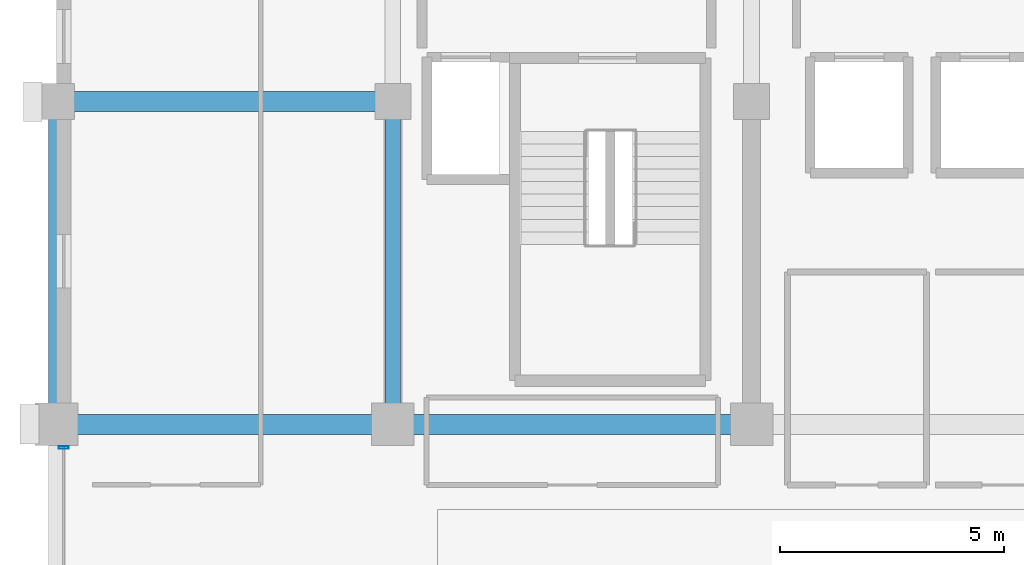
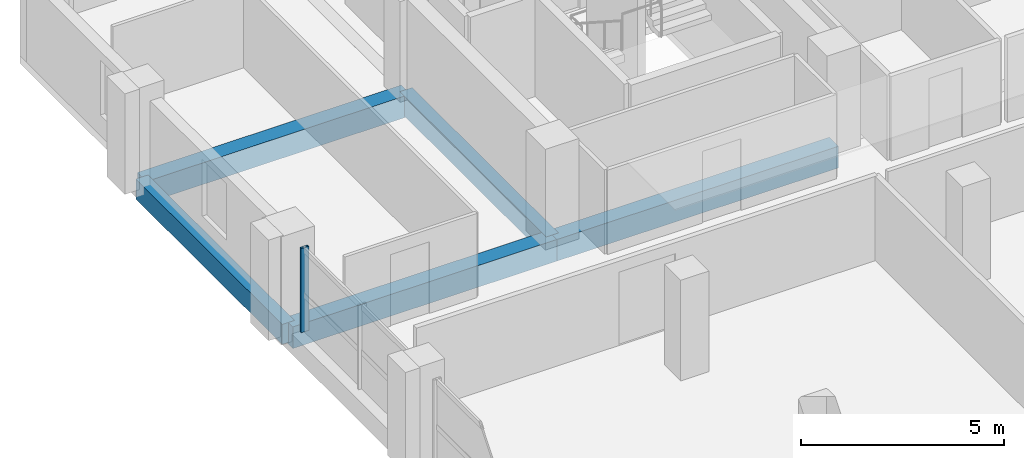
# One storey, part 11 of 23: 5 beams, 1 member, 1 element without a shape of its own.
"""IFC4 building model written with IfcOpenShell, lengths in metres."""

from ifc_helpers import new_model, si_unit, direction, frame, origin, origin_2d, place, context, subcontext, project, spatial, rectangle, hollow_rectangle, extrude, material, material_profile, profile_set, type_object, element, aggregate, save


model = new_model("IFC4")

# Units and contexts
model_context = context("Model", 3, precision=1e-05, world=origin(), true_north=direction((0.0, 1.0)))
body_context = subcontext(model_context, "Body", "Model", "MODEL_VIEW")
ifc_project = project(units=[si_unit("LENGTHUNIT", "METRE"), si_unit("AREAUNIT", "SQUARE_METRE"), si_unit("VOLUMEUNIT", "CUBIC_METRE"), si_unit("PLANEANGLEUNIT", "RADIAN"), si_unit("MASSUNIT", "GRAM", prefix="KILO")], contexts=[model_context])

# Site, building, storey
site_placement = place(None, origin())
site = spatial("IfcSite", under=ifc_project, at=site_placement, CompositionType="ELEMENT")
building_placement = place(site_placement, origin())
building = spatial("IfcBuilding", under=site, at=building_placement, Name="Akrevak Sports Hall", CompositionType="ELEMENT")
storey_placement = place(building_placement, frame((0.0, 0.0, 47.050048828125)))
storey = spatial("IfcBuildingStorey", under=building, at=storey_placement, Name="L11", CompositionType="ELEMENT", Elevation=47.050048828125)

# Curtain wall, member
ifc_material_1 = material(Name="Anodized Bronze Aluminium & Low-E Glass", Category="aluminium")
curtain_wall_type = type_object("IfcCurtainWallType", Name="ARC-CW-TWR-56x30", PredefinedType="NOTDEFINED", material=ifc_material_1)
curtain_wall_placement = place(storey_placement, origin())
curtain_wall = element("IfcCurtainWall", 1, at=curtain_wall_placement, inside=storey, type_object=curtain_wall_type, Name="Curtain Wall CW-L11-W30", PredefinedType="NOTDEFINED")
ifc_material_2 = material(Name="Anodized Bronze Aluminium", Category="aluminium")
ifc_material_profile_1 = material_profile(ifc_material_2, hollow_rectangle(XDim=0.06494140625, YDim=0.219970703125, WallThickness=0.00439453125, at=origin_2d()), Name="CWM 65x220", Category="aluminium")
ifc_profile_set_1 = profile_set([ifc_material_profile_1], Name="Anodized Bronze Aluminium")
member_type = type_object("IfcMemberType", Name="ARC-CWM-70x160", PredefinedType="MULLION", material=ifc_profile_set_1)
member_placement = place(storey_placement, frame((52.659912109375, 54.68505859375, 0.0), z_axis=(0.0, 0.0, 1.0), x_axis=(0.0, -1.0, 0.0)))
member = element("IfcMember", 2, at=member_placement, type_object=member_type, Name="Curtain Wall Mullion CW-L11-W30-M1", PredefinedType="MULLION", context=body_context, shape_type="SweptSolid", body=[
    extrude(hollow_rectangle(XDim=0.06494140625, YDim=0.219970703125, WallThickness=0.00439453125, at=origin_2d()), origin(), (0.0, 0.0, 1.0), 2.530029296875),
])
aggregate(curtain_wall, [member])

# Beams
ifc_material_3 = material(Name="Concrete C40/50", Category="concrete")
ifc_material_profile_2 = material_profile(ifc_material_3, rectangle(XDim=0.35009765625, YDim=0.60009765625, at=origin_2d()), Name="BM 350x600", Category="concrete")
ifc_profile_set_2 = profile_set([ifc_material_profile_2], Name="Concrete C40/50")
beam_type_1 = type_object("IfcBeamType", Name="STR-BM-RC350x600", PredefinedType="BEAM", material=ifc_profile_set_2)
for number, where, z_axis, x_axis, name in (
    (3, (52.5, 55.199951171875, -0.300048828125), (0.0, 1.0, 0.0), (-1.0, 0.0, 0.0), "Girder 8/I-J (L11)"),
    (4, (60.0, 55.199951171875, -0.300048828125), (0.0, 1.0, 0.0), (-1.0, 0.0, 0.0), "Girder 9/I-J (L11)"),
):
    element("IfcBeam", number, at=place(storey_placement, frame(where, z_axis=z_axis, x_axis=x_axis)), inside=storey, type_object=beam_type_1, Name=name, PredefinedType="BEAM", context=body_context, shape_type="SweptSolid", body=[
        extrude(rectangle(XDim=0.35009765625, YDim=0.60009765625, at=origin_2d()), origin(), (0.0, 0.0, 1.0), 7.199951171875),
    ])
ifc_material_profile_3 = material_profile(ifc_material_3, rectangle(XDim=0.449951171875, YDim=0.64990234375, at=origin_2d()), Name="BM 450x650", Category="concrete")
ifc_profile_set_3 = profile_set([ifc_material_profile_3], Name="Concrete C40/50")
beam_type_2 = type_object("IfcBeamType", Name="STR-BM-RC450x650", PredefinedType="BEAM", material=ifc_profile_set_3)
beam_1_placement = place(storey_placement, frame((52.5, 55.199951171875, -0.324951171875), z_axis=(1.0, 0.0, 0.0), x_axis=(0.0, 1.0, 0.0)))
element("IfcBeam", 5, at=beam_1_placement, inside=storey, type_object=beam_type_2, Name="Girder I/8-9 (L11)", PredefinedType="BEAM", context=body_context, shape_type="SweptSolid", body=[
    extrude(rectangle(XDim=0.449951171875, YDim=0.64990234375, at=origin_2d()), origin(), (0.0, 0.0, 1.0), 7.5),
])
beam_2_placement = place(storey_placement, frame((60.0, 55.199951171875, -0.324951171875), z_axis=(1.0, 0.0, 0.0), x_axis=(0.0, 1.0, 0.0)))
element("IfcBeam", 6, at=beam_2_placement, inside=storey, type_object=beam_type_2, Name="Girder I/9-10 (L11)", PredefinedType="BEAM", context=body_context, shape_type="SweptSolid", body=[
    extrude(rectangle(XDim=0.449951171875, YDim=0.64990234375, at=origin_2d()), origin(), (0.0, 0.0, 1.0), 8.0),
])
beam_3_placement = place(storey_placement, frame((52.5, 62.39990234375, -0.324951171875), z_axis=(1.0, 0.0, 0.0), x_axis=(0.0, 1.0, 0.0)))
element("IfcBeam", 7, at=beam_3_placement, inside=storey, type_object=beam_type_2, Name="Girder J/8-9 (L11)", PredefinedType="BEAM", context=body_context, shape_type="SweptSolid", body=[
    extrude(rectangle(XDim=0.449951171875, YDim=0.64990234375, at=origin_2d()), origin(), (0.0, 0.0, 1.0), 7.5),
])

save(model, "model.ifc")
